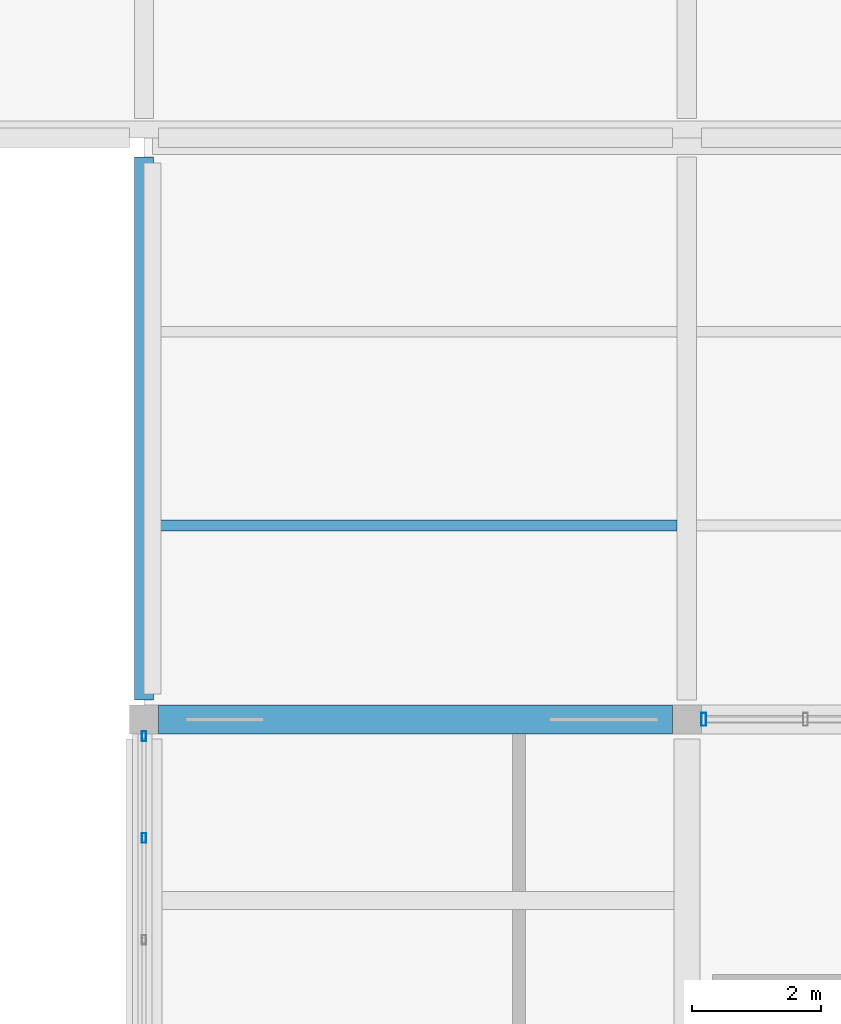
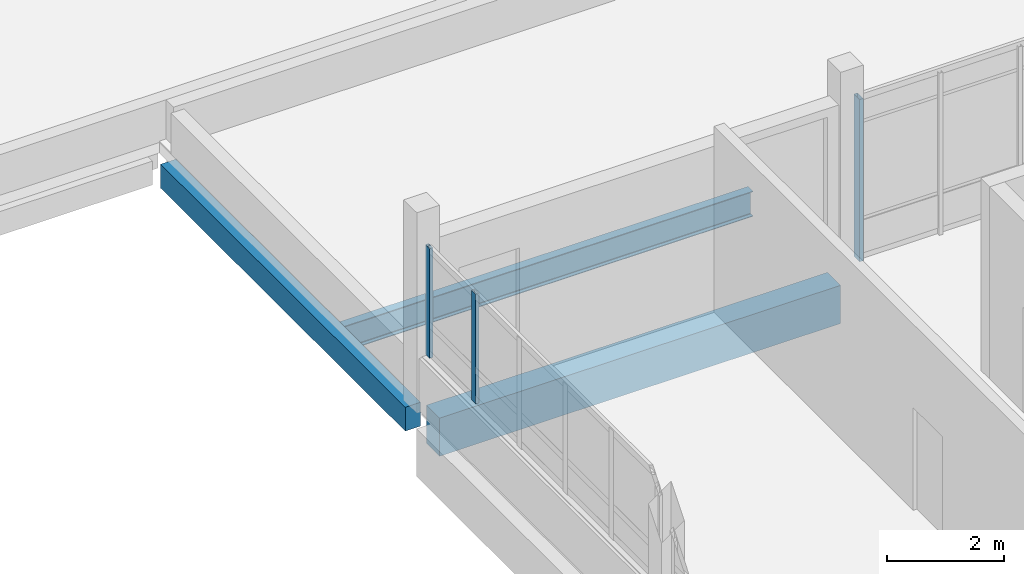
# One storey, part 28 of 62: 3 beams, 3 members, 2 elements without a shape of their own.
"""IFC4 building model written with IfcOpenShell, lengths in metres."""

from ifc_helpers import new_model, si_unit, direction, frame, origin, origin_2d, place, context, subcontext, project, spatial, rectangle, hollow_rectangle, i_section, extrude, material, layer, layer_set, material_profile, profile_set, type_object, element, aggregate, save


model = new_model("IFC4")

# Units and contexts
model_context = context("Model", 3, precision=1e-05, world=origin(), true_north=direction((0.0, 1.0)))
body_context = subcontext(model_context, "Body", "Model", "MODEL_VIEW")
ifc_project = project(units=[si_unit("LENGTHUNIT", "METRE"), si_unit("AREAUNIT", "SQUARE_METRE"), si_unit("VOLUMEUNIT", "CUBIC_METRE"), si_unit("PLANEANGLEUNIT", "RADIAN"), si_unit("MASSUNIT", "GRAM", prefix="KILO")], contexts=[model_context])

# Site, building, storey
site_placement = place(None, origin())
site = spatial("IfcSite", under=ifc_project, at=site_placement, CompositionType="ELEMENT")
building_placement = place(site_placement, origin())
building = spatial("IfcBuilding", under=site, at=building_placement, Name="Vireocrest Preparatory School", CompositionType="ELEMENT")
storey_placement = place(building_placement, frame((0.0, 0.0, 17.39990234375)))
storey = spatial("IfcBuildingStorey", under=building, at=storey_placement, Name="L04", CompositionType="ELEMENT", Elevation=17.39990234375)

# Curtain wall, members
ifc_material_1 = material(Name="Thermally broken aluminium EN AW-6063-T6", Category="aluminium")
ifc_layer_1 = layer(ifc_material_1, 0.179931640625)
ifc_layer_set_1 = layer_set([ifc_layer_1], Name="Thermally broken aluminium EN AW-6063-T6")
curtain_wall_type_1 = type_object("IfcCurtainWallType", Name="Court Banded Curtain Wall 8400x3000", PredefinedType="USERDEFINED", material=ifc_layer_set_1)
curtain_wall_1_placement = place(storey_placement, origin())
curtain_wall_1 = element("IfcCurtainWall", 1, at=curtain_wall_1_placement, inside=storey, type_object=curtain_wall_type_1, Name="Curtain Wall CW02 CW_L04_CW02_0924_0776_186", ObjectType="CURTAIN WALL", PredefinedType="USERDEFINED")
ifc_material_profile_1 = material_profile(ifc_material_1, hollow_rectangle(XDim=0.06494140625, YDim=0.14990234375, WallThickness=0.00390625, at=origin_2d()), Name="ALU 65x150x4")
ifc_profile_set_1 = profile_set([ifc_material_profile_1], Name="Thermally broken aluminium EN AW-6063-T6")
member_type_1 = type_object("IfcMemberType", Name="CW Mullion 65x150x4", PredefinedType="MULLION", material=ifc_profile_set_1)
member_1_placement = place(storey_placement, frame((92.39990234375, 83.964111328125, 1.150146484375), z_axis=(0.0, 0.0, 1.0), x_axis=(1.0, 0.0, 0.0)))
member_1 = element("IfcMember", 2, at=member_1_placement, type_object=member_type_1, Name="CW Mullion ML1 CW_L04_CW02_0924_0776_186-5", PredefinedType="MULLION", context=body_context, shape_type="SweptSolid", body=[
    extrude(hollow_rectangle(XDim=0.06494140625, YDim=0.14990234375, WallThickness=0.00390625, at=origin_2d()), origin(), (0.0, 0.0, 1.0), 2.294921875),
])
member_2_placement = place(storey_placement, frame((92.39990234375, 85.5400390625, 1.150146484375), z_axis=(0.0, 0.0, 1.0), x_axis=(1.0, 0.0, 0.0)))
member_2 = element("IfcMember", 3, at=member_2_placement, type_object=member_type_1, Name="CW Mullion ML1 CW_L04_CW02_0924_0776_186-6", PredefinedType="MULLION", context=body_context, shape_type="SweptSolid", body=[
    extrude(hollow_rectangle(XDim=0.06494140625, YDim=0.14990234375, WallThickness=0.00390625, at=origin_2d()), origin(), (0.0, 0.0, 1.0), 2.294921875),
])
aggregate(curtain_wall_1, [member_1, member_2])

# Curtain wall, member
ifc_layer_2 = layer(ifc_material_1, 0.179931640625)
ifc_layer_set_2 = layer_set([ifc_layer_2], Name="Thermally broken aluminium EN AW-6063-T6")
curtain_wall_type_2 = type_object("IfcCurtainWallType", Name="Stair Core Daylit Strip 4200x4200", PredefinedType="USERDEFINED", material=ifc_layer_set_2)
curtain_wall_2_placement = place(storey_placement, origin())
curtain_wall_2 = element("IfcCurtainWall", 4, at=curtain_wall_2_placement, inside=storey, type_object=curtain_wall_type_2, Name="Curtain Wall CW18 CW_L04_CW18_1010_0858_174", ObjectType="CURTAIN WALL", PredefinedType="USERDEFINED")
ifc_material_profile_2 = material_profile(ifc_material_1, hollow_rectangle(XDim=0.074951171875, YDim=0.199951171875, WallThickness=0.0048828125, at=origin_2d()), Name="ALU 75x200x5")
ifc_profile_set_2 = profile_set([ifc_material_profile_2], Name="Thermally broken aluminium EN AW-6063-T6")
member_type_2 = type_object("IfcMemberType", Name="CW Mullion 75x200x5", PredefinedType="MULLION", material=ifc_profile_set_2)
member_3_placement = place(storey_placement, frame((101.06005859375, 85.800048828125, 0.0), z_axis=(0.0, 0.0, 1.0), x_axis=(1.0, 0.0, 0.0)))
member_3 = element("IfcMember", 5, at=member_3_placement, type_object=member_type_2, Name="CW Mullion ML3 CW_L04_CW18_1010_0858_174-1", PredefinedType="MULLION", context=body_context, shape_type="SweptSolid", body=[
    extrude(hollow_rectangle(XDim=0.074951171875, YDim=0.199951171875, WallThickness=0.0048828125, at=origin_2d()), origin(), (0.0, 0.0, 1.0), 3.39501953125),
])
aggregate(curtain_wall_2, [member_3])

# Beams
ifc_material_2 = material(Name="Structural steel ASTM A992 Grade 50", Category="steel")
ifc_material_profile_3 = material_profile(ifc_material_2, i_section(OverallWidth=0.166015625, OverallDepth=0.529052734375, WebThickness=0.009765625, FlangeThickness=0.013671875, FilletRadius=0.014892578125, at=origin_2d()), Name="W21X50")
ifc_profile_set_3 = profile_set([ifc_material_profile_3], Name="Structural steel ASTM A992 Grade 50")
beam_type_1 = type_object("IfcBeamType", Name="Pavilion Roof Joist W21X50", PredefinedType="JOIST", material=ifc_profile_set_3)
beam_1_placement = place(storey_placement, frame((92.550048828125, 88.800048828125, -0.484375), z_axis=(1.0, 0.0, 0.0), x_axis=(0.0, 1.0, 0.0)))
element("IfcBeam", 6, at=beam_1_placement, inside=storey, type_object=beam_type_1, Name="Secondary Joist SJ1 L04-1493", PredefinedType="JOIST", context=body_context, shape_type="SweptSolid", body=[
    extrude(i_section(OverallWidth=0.166015625, OverallDepth=0.529052734375, WebThickness=0.009765625, FlangeThickness=0.013671875, FilletRadius=0.014892578125, at=origin_2d()), origin(), (0.0, 0.0, 1.0), 8.099853515625),
])
ifc_material_3 = material(Name="Concrete 40 MPa", Category="concrete")
ifc_material_profile_4 = material_profile(ifc_material_3, rectangle(XDim=0.449951171875, YDim=0.800048828125, at=origin_2d()), Name="RC 450x800")
ifc_profile_set_4 = profile_set([ifc_material_profile_4], Name="Concrete 40 MPa")
beam_type_2 = type_object("IfcBeamType", Name="RC Library Stack Girder 450x800", PredefinedType="BEAM", material=ifc_profile_set_4)
beam_2_placement = place(storey_placement, frame((92.625, 85.800048828125, -0.659912109375), z_axis=(1.0, 0.0, 0.0), x_axis=(0.0, 1.0, 0.0)))
element("IfcBeam", 7, at=beam_2_placement, inside=storey, type_object=beam_type_2, Name="Primary Girder B12 L04-1324", PredefinedType="BEAM", context=body_context, shape_type="SweptSolid", body=[
    extrude(rectangle(XDim=0.449951171875, YDim=0.800048828125, at=origin_2d()), origin(), (0.0, 0.0, 1.0), 7.949951171875),
])
ifc_material_profile_5 = material_profile(ifc_material_3, rectangle(XDim=0.300048828125, YDim=0.5, at=origin_2d()), Name="RC 300x500")
ifc_profile_set_5 = profile_set([ifc_material_profile_5], Name="Concrete 40 MPa")
beam_type_3 = type_object("IfcBeamType", Name="RC Roof Edge Beam 300x500", PredefinedType="BEAM", material=ifc_profile_set_5)
beam_3_placement = place(storey_placement, frame((92.39990234375, 86.10009765625, -0.469970703125), z_axis=(0.0, 1.0, 0.0), x_axis=(-1.0, 0.0, 0.0)))
element("IfcBeam", 8, at=beam_3_placement, inside=storey, type_object=beam_type_3, Name="Primary Girder B01 L04-1398", PredefinedType="BEAM", context=body_context, shape_type="SweptSolid", body=[
    extrude(rectangle(XDim=0.300048828125, YDim=0.5, at=origin_2d()), origin(), (0.0, 0.0, 1.0), 8.39990234375),
])

save(model, "model.ifc")
